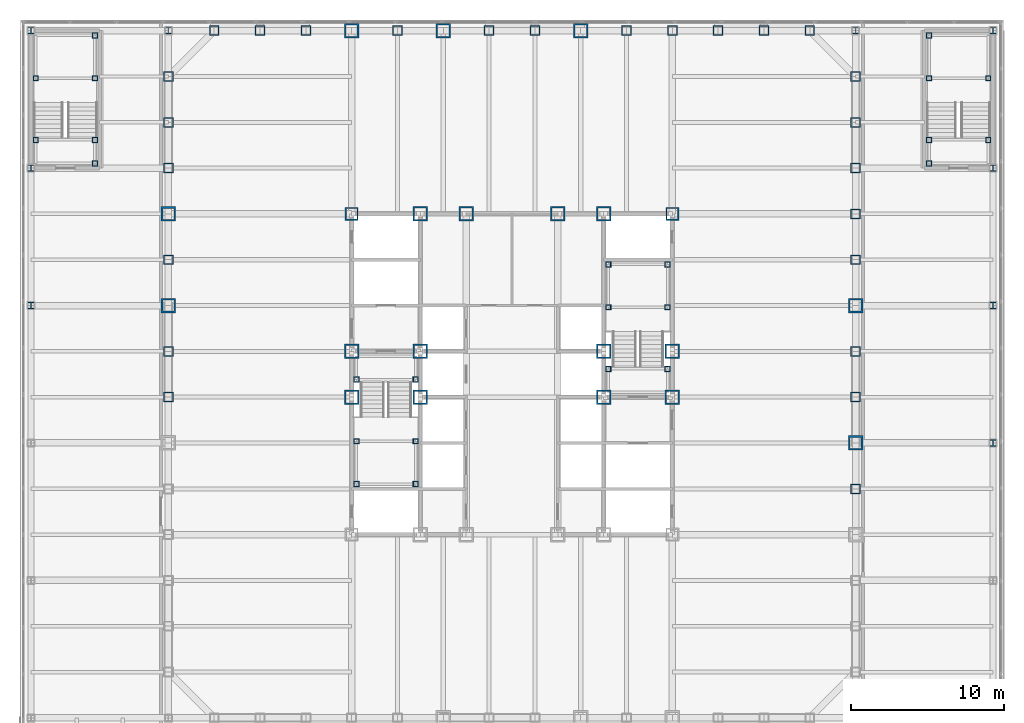
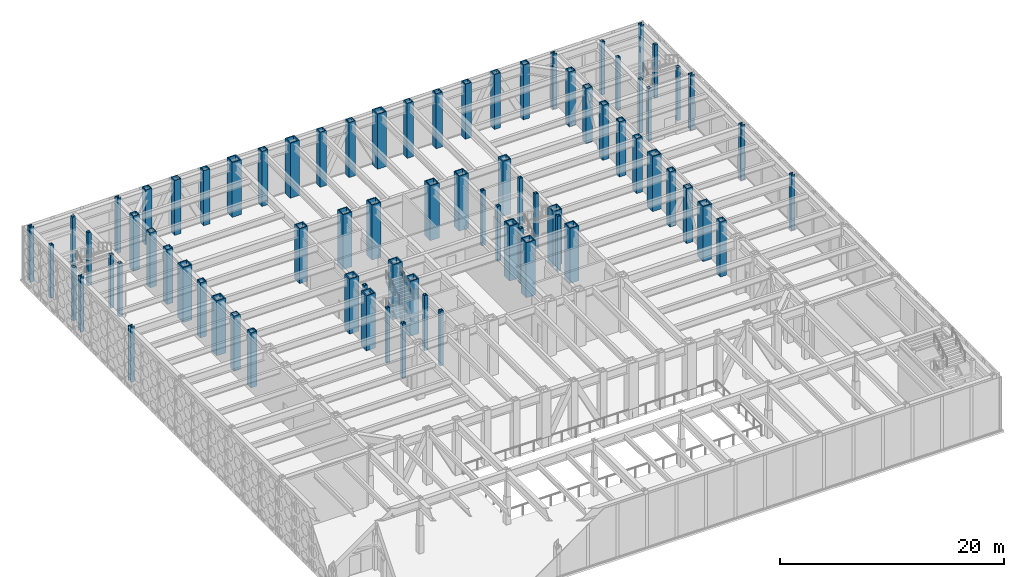
# One storey, part 2 of 32: 79 columns.
"""IFC4 building model written with IfcOpenShell, lengths in metres."""

from ifc_helpers import new_model, si_unit, direction, frame, origin, origin_2d, place, context, subcontext, project, spatial, hollow_rectangle, i_section, extrude, material, material_profile, profile_set, type_object, element, save


model = new_model("IFC4")

# Units and contexts
model_context = context("Model", 3, precision=1e-05, world=origin(), true_north=direction((0.0, 1.0)))
body_context = subcontext(model_context, "Body", "Model", "MODEL_VIEW")
ifc_project = project(units=[si_unit("LENGTHUNIT", "METRE"), si_unit("AREAUNIT", "SQUARE_METRE"), si_unit("VOLUMEUNIT", "CUBIC_METRE"), si_unit("PLANEANGLEUNIT", "RADIAN"), si_unit("MASSUNIT", "GRAM", prefix="KILO")], contexts=[model_context])

# Site, building, storey
site_placement = place(None, origin())
site = spatial("IfcSite", under=ifc_project, at=site_placement, CompositionType="ELEMENT")
building_placement = place(site_placement, origin())
building = spatial("IfcBuilding", under=site, at=building_placement, Name="Chuquiago Exchange Tower", CompositionType="ELEMENT")
storey_placement = place(building_placement, frame((0.0, 0.0, 13.5)))
storey = spatial("IfcBuildingStorey", under=building, at=storey_placement, Name="L02", CompositionType="ELEMENT", Elevation=13.5)

# Columns
ifc_material_1 = material(Name="Steel ASTM A572 Grade 50", Category="steel")
ifc_material_profile_1 = material_profile(ifc_material_1, hollow_rectangle(XDim=0.64990234375, YDim=0.64990234375, WallThickness=0.06494140625, at=origin_2d()), Name="BOX650X650X65")
ifc_profile_set_1 = profile_set([ifc_material_profile_1], Name="Steel ASTM A572 Grade 50")
column_type_1 = type_object("IfcColumnType", Name="C1 BOX650X650X65", PredefinedType="COLUMN", material=ifc_profile_set_1)
for number, where, z_axis, x_axis, name in (
    (1, (45.0, 15.0, 0.0), (0.0, 0.0, 1.0), (1.0, 0.0, 0.0), "COL-L02-45_15"),
    (2, (45.0, 21.0, 0.0), (0.0, 0.0, 1.0), (1.0, 0.0, 0.0), "COL-L02-45_21"),
    (3, (45.0, 24.0, 0.0), (0.0, 0.0, 1.0), (1.0, 0.0, 0.0), "COL-L02-45_24"),
    (4, (45.0, 30.0, 0.0), (0.0, 0.0, 1.0), (1.0, 0.0, 0.0), "COL-L02-45_30"),
    (5, (45.0, 33.0, 0.0), (0.0, 0.0, 1.0), (1.0, 0.0, 0.0), "COL-L02-45_33"),
    (6, (45.0, 36.0, 0.0), (0.0, 0.0, 1.0), (1.0, 0.0, 0.0), "COL-L02-45_36"),
    (7, (45.0, 39.0, 0.0), (0.0, 0.0, 1.0), (1.0, 0.0, 0.0), "COL-L02-45_39"),
    (8, (45.0, 42.0, 0.0), (0.0, 0.0, 1.0), (1.0, 0.0, 0.0), "COL-L02-45_42"),
    (9, (42.0, 45.0, 0.0), (0.0, 0.0, 1.0), (0.0, 1.0, 0.0), "COL-L02-42_45"),
    (10, (39.0, 45.0, 0.0), (0.0, 0.0, 1.0), (0.0, 1.0, 0.0), "COL-L02-39_45"),
    (11, (36.0, 45.0, 0.0), (0.0, 0.0, 1.0), (0.0, 1.0, 0.0), "COL-L02-36_45"),
    (12, (33.0, 45.0, 0.0), (0.0, 0.0, 1.0), (0.0, 1.0, 0.0), "COL-L02-33_45"),
    (13, (30.0, 45.0, 0.0), (0.0, 0.0, 1.0), (0.0, 1.0, 0.0), "COL-L02-30_45"),
    (14, (24.0, 45.0, 0.0), (0.0, 0.0, 1.0), (0.0, 1.0, 0.0), "COL-L02-24_45"),
    (15, (21.0, 45.0, 0.0), (0.0, 0.0, 1.0), (0.0, 1.0, 0.0), "COL-L02-21_45"),
    (16, (15.0, 45.0, 0.0), (0.0, 0.0, 1.0), (0.0, 1.0, 0.0), "COL-L02-15_45"),
    (17, (9.0, 45.0, 0.0), (0.0, 0.0, 1.0), (0.0, 1.0, 0.0), "COL-L02-9_45"),
    (18, (6.0, 45.0, 0.0), (0.0, 0.0, 1.0), (0.0, 1.0, 0.0), "COL-L02-6_45"),
    (19, (3.0, 45.0, 0.0), (0.0, 0.0, 1.0), (0.0, 1.0, 0.0), "COL-L02-3_45"),
    (20, (0.0, 42.0, 0.0), (0.0, 0.0, 1.0), (-1.0, 0.0, 0.0), "COL-L02-0_42"),
    (21, (0.0, 39.0, 0.0), (0.0, 0.0, 1.0), (-1.0, 0.0, 0.0), "COL-L02-0_39"),
    (22, (0.0, 36.0, 0.0), (0.0, 0.0, 1.0), (-1.0, 0.0, 0.0), "COL-L02-0_36"),
    (23, (0.0, 30.0, 0.0), (0.0, 0.0, 1.0), (-1.0, 0.0, 0.0), "COL-L02-0_30"),
    (24, (0.0, 24.0, 0.0), (0.0, 0.0, 1.0), (-1.0, 0.0, 0.0), "COL-L02-0_24"),
    (25, (0.0, 21.0, 0.0), (0.0, 0.0, 1.0), (-1.0, 0.0, 0.0), "COL-L02-0_21"),
):
    element("IfcColumn", number, at=place(storey_placement, frame(where, z_axis=z_axis, x_axis=x_axis)), inside=storey, type_object=column_type_1, Name=name, PredefinedType="COLUMN", context=body_context, shape_type="SweptSolid", body=[
        extrude(hollow_rectangle(XDim=0.64990234375, YDim=0.64990234375, WallThickness=0.06494140625, at=origin_2d()), origin(), (0.0, 0.0, 1.0), 6.0),
    ])
ifc_material_2 = material(Name="Steel ASTM A572 Grade 50", Category="steel")
ifc_material_profile_2 = material_profile(ifc_material_2, hollow_rectangle(XDim=0.949951171875, YDim=0.949951171875, WallThickness=0.094970703125, at=origin_2d()), Name="BOX950X950X95")
ifc_profile_set_2 = profile_set([ifc_material_profile_2], Name="Steel ASTM A572 Grade 50")
column_type_2 = type_object("IfcColumnType", Name="CC1 BOX950X950X95", PredefinedType="COLUMN", material=ifc_profile_set_2)
for number, where, z_axis, x_axis, name in (
    (26, (16.5, 33.0, 0.0), (0.0, 0.0, 1.0), (1.0, 0.0, 0.0), "CCOL-L02-16.5_33"),
    (27, (19.5, 33.0, 0.0), (0.0, 0.0, 1.0), (1.0, 0.0, 0.0), "CCOL-L02-19.5_33"),
    (28, (25.5, 33.0, 0.0), (0.0, 0.0, 1.0), (1.0, 0.0, 0.0), "CCOL-L02-25.5_33"),
    (29, (28.5, 33.0, 0.0), (0.0, 0.0, 1.0), (1.0, 0.0, 0.0), "CCOL-L02-28.5_33"),
    (30, (12.0, 21.0, 0.0), (0.0, 0.0, 1.0), (1.0, 0.0, 0.0), "CCOL-L02-12_21"),
    (31, (12.0, 24.0, 0.0), (0.0, 0.0, 1.0), (1.0, 0.0, 0.0), "CCOL-L02-12_24"),
    (32, (33.0, 21.0, 0.0), (0.0, 0.0, 1.0), (1.0, 0.0, 0.0), "CCOL-L02-33_21"),
    (33, (33.0, 24.0, 0.0), (0.0, 0.0, 1.0), (1.0, 0.0, 0.0), "CCOL-L02-33_24"),
    (34, (16.5, 21.0, 0.0), (0.0, 0.0, 1.0), (1.0, 0.0, 0.0), "CCOL-L02-16.5_21"),
    (35, (16.5, 24.0, 0.0), (0.0, 0.0, 1.0), (1.0, 0.0, 0.0), "CCOL-L02-16.5_24"),
    (36, (28.5, 21.0, 0.0), (0.0, 0.0, 1.0), (1.0, 0.0, 0.0), "CCOL-L02-28.5_21"),
    (37, (28.5, 24.0, 0.0), (0.0, 0.0, 1.0), (1.0, 0.0, 0.0), "CCOL-L02-28.5_24"),
):
    element("IfcColumn", number, at=place(storey_placement, frame(where, z_axis=z_axis, x_axis=x_axis)), inside=storey, type_object=column_type_2, Name=name, PredefinedType="COLUMN", context=body_context, shape_type="SweptSolid", body=[
        extrude(hollow_rectangle(XDim=0.949951171875, YDim=0.949951171875, WallThickness=0.094970703125, at=origin_2d()), origin(), (0.0, 0.0, 1.0), 6.0),
    ])
ifc_material_3 = material(Name="Steel ASTM A572 Grade 50", Category="steel")
ifc_material_profile_3 = material_profile(ifc_material_3, hollow_rectangle(XDim=0.85009765625, YDim=0.85009765625, WallThickness=0.0849609375, at=origin_2d()), Name="BOX850X850X85")
ifc_profile_set_3 = profile_set([ifc_material_profile_3], Name="Steel ASTM A572 Grade 50")
column_type_3 = type_object("IfcColumnType", Name="CC6 BOX850X850X85", PredefinedType="COLUMN", material=ifc_profile_set_3)
for number, where, z_axis, x_axis, name in (
    (38, (12.0, 33.0, 0.0), (0.0, 0.0, 1.0), (1.0, 0.0, 0.0), "CCOL-L02-12_33"),
    (39, (33.0, 33.0, 0.0), (0.0, 0.0, 1.0), (1.0, 0.0, 0.0), "CCOL-L02-33_33"),
):
    element("IfcColumn", number, at=place(storey_placement, frame(where, z_axis=z_axis, x_axis=x_axis)), inside=storey, type_object=column_type_3, Name=name, PredefinedType="COLUMN", context=body_context, shape_type="SweptSolid", body=[
        extrude(hollow_rectangle(XDim=0.85009765625, YDim=0.85009765625, WallThickness=0.0849609375, at=origin_2d()), origin(), (0.0, 0.0, 1.0), 6.0),
    ])
ifc_material_4 = material(Name="Steel ASTM A572 Grade 42", Category="steel")
ifc_material_profile_4 = material_profile(ifc_material_4, hollow_rectangle(XDim=0.949951171875, YDim=0.949951171875, WallThickness=0.110107421875, at=origin_2d()), Name="BOX950X950X110")
ifc_profile_set_4 = profile_set([ifc_material_profile_4], Name="Steel ASTM A572 Grade 42")
column_type_4 = type_object("IfcColumnType", Name="CT1 BOX950X950X110", PredefinedType="COLUMN", material=ifc_profile_set_4)
for number, where, z_axis, x_axis, name in (
    (40, (45.0, 18.0, 0.0), (0.0, 0.0, 1.0), (1.0, 0.0, 0.0), "COL-L02-45_18"),
    (41, (45.0, 27.0, 0.0), (0.0, 0.0, 1.0), (1.0, 0.0, 0.0), "COL-L02-45_27"),
    (42, (27.0, 45.0, 0.0), (0.0, 0.0, 1.0), (0.0, 1.0, 0.0), "COL-L02-27_45"),
    (43, (18.0, 45.0, 0.0), (0.0, 0.0, 1.0), (0.0, 1.0, 0.0), "COL-L02-18_45"),
    (44, (12.0, 45.0, 0.0), (0.0, 0.0, 1.0), (0.0, 1.0, 0.0), "COL-L02-12_45"),
    (45, (0.0, 33.0, 0.0), (0.0, 0.0, 1.0), (-1.0, 0.0, 0.0), "COL-L02-0_33"),
    (46, (0.0, 27.0, 0.0), (0.0, 0.0, 1.0), (-1.0, 0.0, 0.0), "COL-L02-0_27"),
):
    element("IfcColumn", number, at=place(storey_placement, frame(where, z_axis=z_axis, x_axis=x_axis)), inside=storey, type_object=column_type_4, Name=name, PredefinedType="COLUMN", context=body_context, shape_type="SweptSolid", body=[
        extrude(hollow_rectangle(XDim=0.949951171875, YDim=0.949951171875, WallThickness=0.110107421875, at=origin_2d()), origin(), (0.0, 0.0, 1.0), 6.0),
    ])
ifc_material_5 = material(Name="Steel ASTM A992", Category="steel")
ifc_material_profile_5 = material_profile(ifc_material_5, i_section(OverallWidth=0.411376953125, OverallDepth=0.434326171875, WebThickness=0.035888671875, FlangeThickness=0.057373046875, at=origin_2d()), Name="W14X311")
ifc_profile_set_5 = profile_set([ifc_material_profile_5], Name="Steel ASTM A992")
column_type_5 = type_object("IfcColumnType", Name="PC1 W14X311", PredefinedType="COLUMN", material=ifc_profile_set_5)
for number, where, z_axis, x_axis, name in (
    (47, (-9.0, 27.0, 0.0), (0.0, 0.0, 1.0), (1.0, 0.0, 0.0), "PCOL-L02--9_27"),
    (48, (-9.0, 36.0, 0.0), (0.0, 0.0, 1.0), (1.0, 0.0, 0.0), "PCOL-L02--9_36"),
    (49, (-9.0, 45.0, 0.0), (0.0, 0.0, 1.0), (1.0, 0.0, 0.0), "PCOL-L02--9_45"),
    (50, (0.0, 45.0, 0.0), (0.0, 0.0, 1.0), (1.0, 0.0, 0.0), "PCOL-L02-0_45"),
    (51, (45.0, 45.0, 0.0), (0.0, 0.0, 1.0), (1.0, 0.0, 0.0), "PCOL-L02-45_45"),
    (52, (54.0, 18.0, 0.0), (0.0, 0.0, 1.0), (1.0, 0.0, 0.0), "PCOL-L02-54_18"),
    (53, (54.0, 27.0, 0.0), (0.0, 0.0, 1.0), (1.0, 0.0, 0.0), "PCOL-L02-54_27"),
    (54, (54.0, 36.0, 0.0), (0.0, 0.0, 1.0), (1.0, 0.0, 0.0), "PCOL-L02-54_36"),
    (55, (54.0, 45.0, 0.0), (0.0, 0.0, 1.0), (1.0, 0.0, 0.0), "PCOL-L02-54_45"),
):
    element("IfcColumn", number, at=place(storey_placement, frame(where, z_axis=z_axis, x_axis=x_axis)), inside=storey, type_object=column_type_5, Name=name, PredefinedType="COLUMN", context=body_context, shape_type="SweptSolid", body=[
        extrude(i_section(OverallWidth=0.411376953125, OverallDepth=0.434326171875, WebThickness=0.035888671875, FlangeThickness=0.057373046875, at=origin_2d()), origin(), (0.0, 0.0, 1.0), 6.0),
    ])
ifc_material_6 = material(Name="Steel ASTM A572 Grade 50", Category="steel")
ifc_material_profile_6 = material_profile(ifc_material_6, hollow_rectangle(XDim=0.35009765625, YDim=0.35009765625, WallThickness=0.034912109375, at=origin_2d()), Name="BOX350X350X35")
ifc_profile_set_6 = profile_set([ifc_material_profile_6], Name="Steel ASTM A572 Grade 50")
column_type_6 = type_object("IfcColumnType", Name="PT3 BOX350X350X35", PredefinedType="COLUMN", material=ifc_profile_set_6)
for number, where, z_axis, x_axis, name in (
    (56, (12.31005859375, 15.31005859375, 0.0), (0.0, 0.0, 1.0), (1.0, 0.0, 0.0), "Stair ST1 L02 landing post"),
    (57, (16.18994140625, 15.31005859375, 0.0), (0.0, 0.0, 1.0), (1.0, 0.0, 0.0), "Stair ST1 L02 landing post"),
    (58, (12.31005859375, 18.110107421875, 0.0), (0.0, 0.0, 1.0), (1.0, 0.0, 0.0), "Stair ST1 L02 landing post"),
    (59, (16.18994140625, 18.110107421875, 0.0), (0.0, 0.0, 1.0), (1.0, 0.0, 0.0), "Stair ST1 L02 landing post"),
    (60, (12.31005859375, 22.14990234375, 0.0), (0.0, 0.0, 1.0), (1.0, 0.0, 0.0), "Stair ST1 L02 landing post"),
    (61, (16.18994140625, 22.14990234375, 0.0), (0.0, 0.0, 1.0), (1.0, 0.0, 0.0), "Stair ST1 L02 landing post"),
    (62, (28.81005859375, 29.68994140625, 0.0), (0.0, 0.0, 1.0), (1.0, 0.0, 0.0), "Stair ST2 L02 landing post"),
    (63, (32.68994140625, 29.68994140625, 0.0), (0.0, 0.0, 1.0), (1.0, 0.0, 0.0), "Stair ST2 L02 landing post"),
    (64, (28.81005859375, 26.889892578125, 0.0), (0.0, 0.0, 1.0), (1.0, 0.0, 0.0), "Stair ST2 L02 landing post"),
    (65, (32.68994140625, 26.889892578125, 0.0), (0.0, 0.0, 1.0), (1.0, 0.0, 0.0), "Stair ST2 L02 landing post"),
    (66, (28.81005859375, 22.85009765625, 0.0), (0.0, 0.0, 1.0), (1.0, 0.0, 0.0), "Stair ST2 L02 landing post"),
    (67, (32.68994140625, 22.85009765625, 0.0), (0.0, 0.0, 1.0), (1.0, 0.0, 0.0), "Stair ST2 L02 landing post"),
):
    element("IfcColumn", number, at=place(storey_placement, frame(where, z_axis=z_axis, x_axis=x_axis)), inside=storey, type_object=column_type_6, Name=name, PredefinedType="COLUMN", context=body_context, shape_type="SweptSolid", body=[
        extrude(hollow_rectangle(XDim=0.35009765625, YDim=0.35009765625, WallThickness=0.034912109375, at=origin_2d()), origin(), (0.0, 0.0, 1.0), 6.0),
    ])
for number, where, z_axis, x_axis, name in (
    (68, (-4.81005859375, 44.68994140625, 0.0), (0.0, 0.0, 1.0), (1.0, 0.0, 0.0), "Stair PS3 L02 landing post"),
    (69, (-8.68994140625, 41.889892578125, 0.0), (0.0, 0.0, 1.0), (1.0, 0.0, 0.0), "Stair PS3 L02 landing post"),
    (70, (-4.81005859375, 41.889892578125, 0.0), (0.0, 0.0, 1.0), (1.0, 0.0, 0.0), "Stair PS3 L02 landing post"),
    (71, (-8.68994140625, 37.85009765625, 0.0), (0.0, 0.0, 1.0), (1.0, 0.0, 0.0), "Stair PS3 L02 landing post"),
    (72, (-4.81005859375, 37.85009765625, 0.0), (0.0, 0.0, 1.0), (1.0, 0.0, 0.0), "Stair PS3 L02 landing post"),
    (73, (-4.81005859375, 36.31005859375, 0.0), (0.0, 0.0, 1.0), (1.0, 0.0, 0.0), "Stair PS3 L02 landing post"),
    (74, (49.81005859375, 44.68994140625, 0.0), (0.0, 0.0, 1.0), (1.0, 0.0, 0.0), "Stair PS4 L02 landing post"),
    (75, (49.81005859375, 41.889892578125, 0.0), (0.0, 0.0, 1.0), (1.0, 0.0, 0.0), "Stair PS4 L02 landing post"),
    (76, (53.68994140625, 41.889892578125, 0.0), (0.0, 0.0, 1.0), (1.0, 0.0, 0.0), "Stair PS4 L02 landing post"),
    (77, (49.81005859375, 37.85009765625, 0.0), (0.0, 0.0, 1.0), (1.0, 0.0, 0.0), "Stair PS4 L02 landing post"),
    (78, (53.68994140625, 37.85009765625, 0.0), (0.0, 0.0, 1.0), (1.0, 0.0, 0.0), "Stair PS4 L02 landing post"),
    (79, (49.81005859375, 36.31005859375, 0.0), (0.0, 0.0, 1.0), (1.0, 0.0, 0.0), "Stair PS4 L02 landing post"),
):
    element("IfcColumn", number, at=place(storey_placement, frame(where, z_axis=z_axis, x_axis=x_axis)), inside=storey, type_object=column_type_6, Name=name, PredefinedType="COLUMN", context=body_context, shape_type="SweptSolid", body=[
        extrude(hollow_rectangle(XDim=0.35009765625, YDim=0.35009765625, WallThickness=0.034912109375, at=origin_2d()), origin(), (0.0, 0.0, 1.0), 5.800048828125),
    ])

save(model, "model.ifc")
